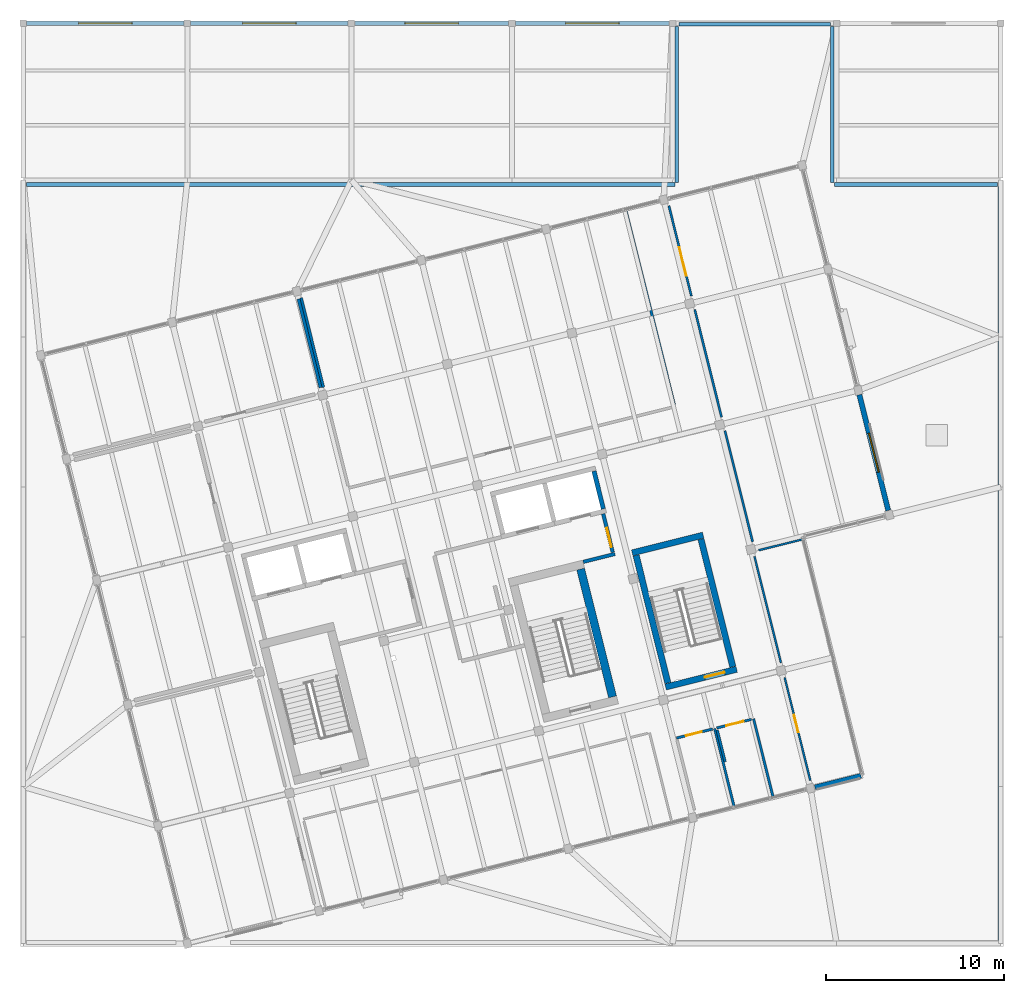
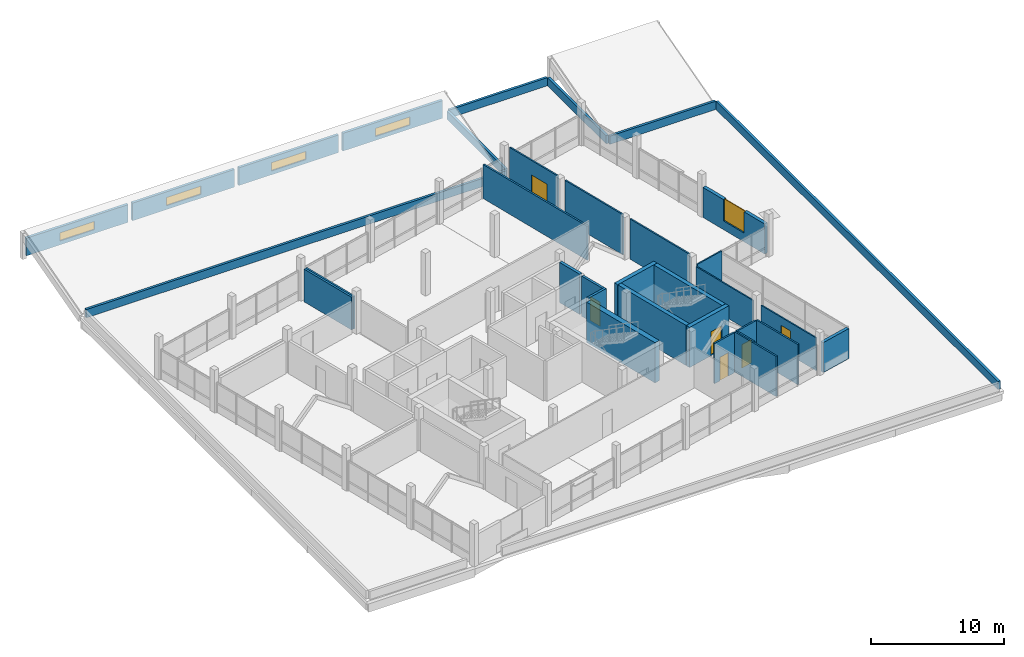
# One storey, part 35 of 37: 34 walls, 6 doors, 5 windows, 11 openings.
"""IFC4 building model written with IfcOpenShell, lengths in metres."""

import ifcopenshell
import ifcopenshell.guid

model = None  # the IFC model being written
_history = None  # IfcOwnerHistory: only IFC2X3 demands one
_inside = {}  # id of a spatial element -> (the spatial element, [elements in it])
_under = {}  # id of a project, library or spatial element -> (it, [spatial elements below it])
_declared = {}  # id of a project -> (the project, [libraries it declares])
_typed = {}  # id of a type object -> (the type object, [elements of that type])
_made_of = {}  # id of a material, layer set ... -> (it, [elements and type objects made of it])


def new_model(schema):
    """Start an empty IFC model of exactly this schema.

    Asked for "IFC4X3", IfcOpenShell would pick the latest addendum, in which some entities
    have other attributes; the version numbers below select the first issue.
    IFC2X3 requires an IfcOwnerHistory on every rooted entity: one is made here for all.
    """
    global model, _history
    if schema == "IFC4X3":
        model = ifcopenshell.file(schema_version=(4, 3, 0, 0))
    else:
        model = ifcopenshell.file(schema=schema)
    _inside.clear()
    _under.clear()
    _declared.clear()
    _typed.clear()
    _made_of.clear()
    _history = None
    if model.schema == "IFC2X3":
        org = make("IfcOrganization", Name="unknown")
        user = make(
            "IfcPersonAndOrganization",
            ThePerson=make("IfcPerson", FamilyName="unknown"),
            TheOrganization=org,
        )
        app = make(
            "IfcApplication",
            ApplicationDeveloper=org,
            Version="unknown",
            ApplicationFullName="unknown",
            ApplicationIdentifier="unknown",
        )
        _history = make(
            "IfcOwnerHistory",
            OwningUser=user,
            OwningApplication=app,
            ChangeAction="ADDED",
            CreationDate=0,
        )
    return model


def make(cls, **values):
    """One entity of the class cls with the attributes given. An attribute that is None is left unset."""
    return model.create_entity(
        cls, **{name: value for name, value in values.items() if value is not None}
    )


def rooted(cls, **values):
    """An entity with a GlobalId (a new one), such as an element, a storey or a relation."""
    return make(cls, GlobalId=ifcopenshell.guid.new(), OwnerHistory=_history, **values)


def si_unit(unit_type, name, prefix=None):
    """IfcSIUnit, for example si_unit("LENGTHUNIT", "METRE", prefix="MILLI")."""
    return make("IfcSIUnit", UnitType=unit_type, Prefix=prefix, Name=name)


def assignment(units):
    """IfcUnitAssignment: the units of a project."""
    return None if units is None else make("IfcUnitAssignment", Units=units)


def point(xyz):
    """IfcCartesianPoint."""
    return None if xyz is None else make("IfcCartesianPoint", Coordinates=xyz)


def direction(xyz):
    """IfcDirection."""
    return None if xyz is None else make("IfcDirection", DirectionRatios=xyz)


def frame(location, z_axis=None, x_axis=None):
    """IfcAxis2Placement3D, a coordinate frame: its origin and axes. An axis left out is left unset."""
    return make(
        "IfcAxis2Placement3D",
        Location=point(location),
        Axis=direction(z_axis),
        RefDirection=direction(x_axis),
    )


def frame_2d(location, x_axis=None):
    """IfcAxis2Placement2D, a coordinate frame in the plane: its origin and x axis."""
    return make(
        "IfcAxis2Placement2D", Location=point(location), RefDirection=direction(x_axis)
    )


def origin():
    """The frame at (0, 0, 0) with its axes left unset."""
    return frame((0.0, 0.0, 0.0))


def place(relative_to, where):
    """IfcLocalPlacement: puts the frame where relative to a parent placement (None: the world)."""
    return make(
        "IfcLocalPlacement", PlacementRelTo=relative_to, RelativePlacement=where
    )


def context(
    kind, dimensions, precision=None, world=None, true_north=None, identifier=None
):
    """IfcGeometricRepresentationContext, for example the 3D "Model" context."""
    return make(
        "IfcGeometricRepresentationContext",
        ContextIdentifier=identifier,
        ContextType=kind,
        CoordinateSpaceDimension=dimensions,
        Precision=precision,
        WorldCoordinateSystem=world,
        TrueNorth=true_north,
    )


def subcontext(parent, identifier, kind, view, scale=None):
    """IfcGeometricRepresentationSubContext, for example "Body" below "Model"."""
    return make(
        "IfcGeometricRepresentationSubContext",
        ContextIdentifier=identifier,
        ContextType=kind,
        ParentContext=parent,
        TargetScale=scale,
        TargetView=view,
    )


def project(units=None, contexts=None):
    """IfcProject with its units and contexts."""
    return rooted(
        "IfcProject",
        Name="project",
        RepresentationContexts=contexts,
        UnitsInContext=assignment(units),
    )


def spatial(cls, under=None, at=None, **own):
    """A site, building, storey or space (cls), placed at a placement, below another one or the project."""
    s = rooted(cls, ObjectPlacement=at, **own)
    if under is not None:
        _under.setdefault(under.id(), (under, []))[1].append(s)
    return s


def profile(cls, at=None, kind="AREA", **sizes):
    """A parametric profile (cls). Its sizes go by their IFC names, for example OverallWidth=200.0."""
    return make(cls, ProfileType=kind, Position=at, **sizes)


def rectangle(**sizes):
    """IfcRectangleProfileDef."""
    return profile("IfcRectangleProfileDef", **sizes)


def extrude(swept, where, along, depth):
    """IfcExtrudedAreaSolid: the profile swept, set in the frame where, extruded along a direction by depth."""
    return make(
        "IfcExtrudedAreaSolid",
        SweptArea=swept,
        Position=where,
        ExtrudedDirection=direction(along),
        Depth=depth,
    )


def shape(context_of_items, identifier, shape_type, items):
    """IfcShapeRepresentation: the items that make up one representation, for example the "Body"."""
    return make(
        "IfcShapeRepresentation",
        ContextOfItems=context_of_items,
        RepresentationIdentifier=identifier,
        RepresentationType=shape_type,
        Items=items,
    )


def material(Name=None, Category=None):
    """IfcMaterial."""
    return make("IfcMaterial", Name=Name, Category=Category)


def layer(
    of_material, thickness, ventilated=None, Name=None, Category=None, Priority=None
):
    """IfcMaterialLayer: one layer of a wall or slab, of a material (None: an air gap)."""
    return make(
        "IfcMaterialLayer",
        Material=of_material,
        LayerThickness=thickness,
        IsVentilated=ventilated,
        Name=Name,
        Category=Category,
        Priority=Priority,
    )


def layer_set(layers, Name=None):
    """IfcMaterialLayerSet."""
    return make("IfcMaterialLayerSet", MaterialLayers=layers, LayerSetName=Name)


def made_of(thing, what):
    """Note that an element or type object is made of a material, layer set ...; save() writes the relation."""
    if what is not None:
        _made_of.setdefault(what.id(), (what, []))[1].append(thing)
    return thing


def type_object(cls, material=None, **own):
    """A type object (cls), such as IfcWallType, which elements share."""
    return made_of(rooted(cls, **own), material)


def element(
    cls,
    number,
    at=None,
    inside=None,
    cuts=None,
    type_object=None,
    material=None,
    context=None,
    identifier="Body",
    shape_type=None,
    held_by="IfcProductDefinitionShape",
    body=None,
    shapes=None,
    **own,
):
    """One element of the class cls, such as IfcWall. Its Tag is "e" and its number.

    at: its placement. inside: the storey or other place that contains it. cuts: it is an
    opening in that element (IfcRelVoidsElement). A single representation is given by context,
    identifier, shape_type and body (its items); several are given by shapes. held_by: the class
    of the entity that holds the representations. save() writes the other relations.
    """
    e = rooted(cls, Tag="e%d" % number, ObjectPlacement=at, **own)
    if body is not None:
        shapes = [shape(context, identifier, shape_type, body)]
    if shapes is not None:
        e.Representation = make(held_by, Representations=shapes)
    if inside is not None:
        _inside.setdefault(inside.id(), (inside, []))[1].append(e)
    if cuts is not None:
        rooted(
            "IfcRelVoidsElement", RelatingBuildingElement=cuts, RelatedOpeningElement=e
        )
    if type_object is not None:
        _typed.setdefault(type_object.id(), (type_object, []))[1].append(e)
    return made_of(e, material)


def fill(opening, filler):
    """IfcRelFillsElement: the door or window that sits in an opening."""
    return rooted(
        "IfcRelFillsElement",
        RelatingOpeningElement=opening,
        RelatedBuildingElement=filler,
    )


def aggregate(whole, parts):
    """IfcRelAggregates: a whole, such as a stair, and the parts it consists of."""
    return rooted("IfcRelAggregates", RelatingObject=whole, RelatedObjects=parts)


def save(model, path):
    """Write the relations noted so far, then the file.

    IfcRelAggregates (storeys below a building ...), IfcRelContainedInSpatialStructure (elements
    in a storey), IfcRelDefinesByType, IfcRelAssociatesMaterial and IfcRelDeclares: one each for
    every whole, place, type object, material and project.
    """
    for whole, parts in _under.values():
        aggregate(whole, parts)
    for where, things in _inside.values():
        rooted(
            "IfcRelContainedInSpatialStructure",
            RelatedElements=things,
            RelatingStructure=where,
        )
    for kind, things in _typed.values():
        rooted("IfcRelDefinesByType", RelatedObjects=things, RelatingType=kind)
    for what, things in _made_of.values():
        rooted("IfcRelAssociatesMaterial", RelatedObjects=things, RelatingMaterial=what)
    for by, libraries in _declared.values():
        rooted("IfcRelDeclares", RelatingContext=by, RelatedDefinitions=libraries)
    model.write(path)


model = new_model("IFC4")

# Units and contexts
model_context = context("Model", 3, precision=1e-05, world=origin(), true_north=direction((0.0, 1.0)))
body_context = subcontext(model_context, "Body", "Model", "MODEL_VIEW")
ifc_project = project(units=[si_unit("LENGTHUNIT", "METRE"), si_unit("AREAUNIT", "SQUARE_METRE"), si_unit("VOLUMEUNIT", "CUBIC_METRE"), si_unit("PLANEANGLEUNIT", "RADIAN"), si_unit("MASSUNIT", "GRAM", prefix="KILO")], contexts=[model_context])

# Site, building, storey
site_placement = place(None, origin())
site = spatial("IfcSite", under=ifc_project, at=site_placement, CompositionType="ELEMENT")
building_placement = place(site_placement, origin())
building = spatial("IfcBuilding", under=site, at=building_placement, Name="Meriwether Solvik Hall", CompositionType="ELEMENT")
storey_placement = place(building_placement, frame((0.0, 0.0, 26.10009765625)))
storey = spatial("IfcBuildingStorey", under=building, at=storey_placement, Name="L06", CompositionType="ELEMENT", Elevation=26.10009765625)

# Wall
ifc_material_1 = material(Name="Charred Western Red Cedar Timber and Mineral Wool", Category="wood")
ifc_layer_1 = layer(ifc_material_1, 0.27001953125)
ifc_layer_set_1 = layer_set([ifc_layer_1], Name="Charred Western Red Cedar Timber and Mineral Wool")
wall_type_1 = type_object("IfcWallType", Name="WALL-EXT-270", PredefinedType="SOLIDWALL", material=ifc_layer_set_1)
wall_1_placement = place(storey_placement, frame((106.364013671875, 50.615478515625, 0.0), z_axis=(0.0, 0.0, 1.0), x_axis=(-0.970304218988, -0.241887830646, 0.0)))
element("IfcWall", 1, at=wall_1_placement, inside=storey, type_object=wall_type_1, Name="L06 Timber Rainscreen Wall 1.5", PredefinedType="SOLIDWALL", context=body_context, shape_type="SweptSolid", body=[
    extrude(rectangle(XDim=2.66064453125, YDim=0.27001953125, at=frame_2d((1.330322265625, 0.0))), origin(), (0.0, 0.0, 1.0), 2.75),
])

# Wall, opening, window
ifc_material_2 = material(Name="Cross-Laminated Timber and Mineral-Wool Insulation", Category="wood")
ifc_layer_2 = layer(ifc_material_2, 0.2900390625)
ifc_layer_set_2 = layer_set([ifc_layer_2], Name="Cross-Laminated Timber and Mineral-Wool Insulation")
wall_type_2 = type_object("IfcWallType", Name="WALL-EXT-290", PredefinedType="SOLIDWALL", material=ifc_layer_set_2)
wall_2_placement = place(storey_placement, frame((106.275390625, 71.968994140625, 0.0), z_axis=(0.0, 0.0, 1.0), x_axis=(0.24190791202, -0.970299212667, 0.0)))
wall_2 = element("IfcWall", 2, at=wall_2_placement, inside=storey, type_object=wall_type_2, Name="L06 Timber Rainscreen Wall 4.0", PredefinedType="SOLIDWALL", context=body_context, shape_type="SweptSolid", body=[
    extrude(rectangle(XDim=6.68115234375, YDim=0.2900390625, at=frame_2d((3.340576171875, 0.0))), origin(), (0.0, 0.0, 1.0), 2.75),
])
opening_1_placement = place(wall_2_placement, frame((2.215576171875, 0.0, 0.800048828125)))
opening_1 = element("IfcOpeningElement", 3, at=opening_1_placement, cuts=wall_2, Name="Opening WN-150", PredefinedType="OPENING", context=body_context, shape_type="SweptSolid", body=[
    extrude(rectangle(XDim=2.25, YDim=1.949951171875, at=frame_2d((1.125, 0.97509765625))), frame((0.0, 0.156982421875, 0.0), z_axis=(0.0, -1.0, 0.0), x_axis=(1.0, 0.0, 0.0)), (0.0, 0.0, 1.0), 0.31396484375),
])
ifc_material_3 = material(Name="Thermally Broken Anodised Aluminium and Triple Low-E Glass", Category="aluminium")
window_type_1 = type_object("IfcWindowType", Name="WIN-TW-SHARD-225X195", PartitioningType="SINGLE_PANEL", PredefinedType="WINDOW", material=ifc_material_3)
window_1_placement = place(opening_1_placement, origin())
window_1 = element("IfcWindow", 4, at=window_1_placement, inside=storey, type_object=window_type_1, Name="L06 Punched Window 4.0", OverallHeight=1.949951171875, OverallWidth=2.25, PartitioningType="SINGLE_PANEL", PredefinedType="WINDOW", context=body_context, shape_type="SweptSolid", body=[
    extrude(rectangle(XDim=2.25, YDim=1.949951171875, at=frame_2d((1.125, 0.97509765625))), frame((0.0, 0.030029296875, 0.0), z_axis=(0.0, -1.0, 0.0), x_axis=(1.0, 0.0, 0.0)), (0.0, 0.0, 1.0), 0.06005859375),
])
fill(opening_1, window_1)

# Wall
ifc_material_4 = material(Name="Fire-Rated Type X Gypsum Board", Category="gypsum")
ifc_layer_3 = layer(ifc_material_4, 0.199951171875)
ifc_layer_set_3 = layer_set([ifc_layer_3], Name="Fire-Rated Type X Gypsum Board")
wall_type_3 = type_object("IfcWallType", Name="WALL-FIRE-200", PredefinedType="STANDARD", material=ifc_layer_set_3)
wall_3_placement = place(storey_placement, frame((90.791015625, 62.604248046875, 0.0), z_axis=(0.0, 0.0, 1.0), x_axis=(0.970306180373, 0.241879962645, 0.0)))
element("IfcWall", 5, at=wall_3_placement, inside=storey, type_object=wall_type_3, Name="L06 Interior Partition lb2_s", PredefinedType="STANDARD", context=body_context, shape_type="SweptSolid", body=[
    extrude(rectangle(XDim=1.840087890625, YDim=0.199951171875, at=frame_2d((0.919921875, 0.0))), origin(), (0.0, 0.0, 1.0), 3.679931640625),
])

# Wall, opening, door
wall_4_placement = place(storey_placement, frame((91.913330078125, 65.295654296875, 0.0), z_axis=(0.0, 0.0, 1.0), x_axis=(0.241836892041, -0.970316916089, 0.0)))
wall_4 = element("IfcWall", 6, at=wall_4_placement, inside=storey, type_object=wall_type_3, Name="L06 Interior Partition lb2_e", PredefinedType="STANDARD", context=body_context, shape_type="SweptSolid", body=[
    extrude(rectangle(XDim=2.219970703125, YDim=0.199951171875, at=frame_2d((1.10986328125, 0.0))), origin(), (0.0, 0.0, 1.0), 3.679931640625),
])
opening_2_placement = place(wall_4_placement, frame((0.820068359375, 0.0, 0.0)))
opening_2 = element("IfcOpeningElement", 7, at=opening_2_placement, cuts=wall_4, Name="Opening D-168", PredefinedType="OPENING", context=body_context, shape_type="SweptSolid", body=[
    extrude(rectangle(XDim=1.10009765625, YDim=2.199951171875, at=frame_2d((0.550048828125, 1.10009765625))), frame((0.0, 0.11181640625, 0.0), z_axis=(0.0, -1.0, 0.0), x_axis=(1.0, 0.0, 0.0)), (0.0, 0.0, 1.0), 0.223876953125),
])
ifc_material_5 = material(Name="Steel A36 Galvanised", Category="steel")
door_type_1 = type_object("IfcDoorType", Name="DR-FD60-1100L", OperationType="SINGLE_SWING_LEFT", PredefinedType="DOOR", material=ifc_material_5)
door_1_placement = place(opening_2_placement, origin())
door_1 = element("IfcDoor", 8, at=door_1_placement, inside=storey, type_object=door_type_1, Name="East FSAE Lift Lobby Door (L06)", OperationType="SINGLE_SWING_LEFT", OverallHeight=2.199951171875, OverallWidth=1.10009765625, PredefinedType="DOOR", context=body_context, shape_type="SweptSolid", body=[
    extrude(rectangle(XDim=1.10009765625, YDim=2.199951171875, at=frame_2d((0.550048828125, 1.10009765625))), frame((0.0, 0.02490234375, 0.0), z_axis=(0.0, -1.0, 0.0), x_axis=(1.0, 0.0, 0.0)), (0.0, 0.0, 1.0), 0.050048828125),
])
fill(opening_2, door_1)

# Walls
wall_5_placement = place(storey_placement, frame((76.08056640625, 72.3740234375, 0.0), z_axis=(0.0, 0.0, 1.0), x_axis=(-0.241941301347, 0.970290887674, 0.0)))
element("IfcWall", 9, at=wall_5_placement, inside=storey, type_object=wall_type_3, Name="L06 Interior Partition lab_nw_e", PredefinedType="STANDARD", context=body_context, shape_type="SweptSolid", body=[
    extrude(rectangle(XDim=5.123046875, YDim=0.199951171875, at=frame_2d((2.5615234375, 0.0))), origin(), (0.0, 0.0, 1.0), 2.994873046875),
])
ifc_material_6 = material(Name="Tempered Laminated Glass in Anodised Aluminium Frame", Category="aluminium")
ifc_layer_4 = layer(ifc_material_6, 0.112060546875)
ifc_layer_set_4 = layer_set([ifc_layer_4], Name="Tempered Laminated Glass in Anodised Aluminium Frame")
wall_type_4 = type_object("IfcWallType", Name="WALL-GLZ-112", PredefinedType="PARTITIONING", material=ifc_layer_set_4)
wall_6_placement = place(storey_placement, frame((103.0810546875, 63.864990234375, 0.0), z_axis=(0.0, 0.0, 1.0), x_axis=(-0.97028432699, -0.24196761105, 0.0)))
element("IfcWall", 10, at=wall_6_placement, inside=storey, type_object=wall_type_4, Name="L06 Interior Partition shard_se_n", PredefinedType="PARTITIONING", context=body_context, shape_type="SweptSolid", body=[
    extrude(rectangle(XDim=2.528564453125, YDim=0.112060546875, at=frame_2d((1.26416015625, 0.0))), origin(), (0.0, 0.0, 1.0), 2.919921875),
])
wall_7_placement = place(storey_placement, frame((100.392333984375, 62.90966796875, 0.0), z_axis=(0.0, 0.0, 1.0), x_axis=(0.241928011715, -0.970294201337, 0.0)))
element("IfcWall", 11, at=wall_7_placement, inside=storey, type_object=wall_type_4, Name="L06 Interior Partition shard_se_w", PredefinedType="PARTITIONING", context=body_context, shape_type="SweptSolid", body=[
    extrude(rectangle(XDim=6.145751953125, YDim=0.112060546875, at=frame_2d((3.07275390625, 0.0))), origin(), (0.0, 0.0, 1.0), 2.994873046875),
])

# Wall, opening, door
wall_8_placement = place(storey_placement, frame((102.085693359375, 56.11767578125, 0.0), z_axis=(0.0, 0.0, 1.0), x_axis=(0.241936558531, -0.970292070279, 0.0)))
wall_8 = element("IfcWall", 12, at=wall_8_placement, inside=storey, type_object=wall_type_4, Name="L06 Interior Partition shard_se_w_s2", PredefinedType="PARTITIONING", context=body_context, shape_type="SweptSolid", body=[
    extrude(rectangle(XDim=5.945556640625, YDim=0.112060546875, at=frame_2d((2.97265625, 0.0))), origin(), (0.0, 0.0, 1.0), 2.994873046875),
])
opening_3_placement = place(wall_8_placement, frame((2.162109375, 0.0, 0.0)))
opening_3 = element("IfcOpeningElement", 13, at=opening_3_placement, cuts=wall_8, Name="Opening D-103", PredefinedType="OPENING", context=body_context, shape_type="SweptSolid", body=[
    extrude(rectangle(XDim=1.0, YDim=2.25, at=frame_2d((0.5, 1.125))), frame((0.0, 0.06787109375, 0.0), z_axis=(0.0, -1.0, 0.0), x_axis=(1.0, 0.0, 0.0)), (0.0, 0.0, 1.0), 0.135986328125),
])
ifc_material_7 = material(Name="Laminated Vision Glass and Solid White Oak Timber", Category="wood")
door_type_2 = type_object("IfcDoorType", Name="DR-OFF-1000R", OperationType="SINGLE_SWING_RIGHT", PredefinedType="DOOR", material=ifc_material_7)
door_2_placement = place(opening_3_placement, origin())
door_2 = element("IfcDoor", 14, at=door_2_placement, inside=storey, type_object=door_type_2, Name="L06 Cantilever Shard Reading Lounge Door", OperationType="SINGLE_SWING_RIGHT", OverallHeight=2.25, OverallWidth=1.0, PredefinedType="DOOR", context=body_context, shape_type="SweptSolid", body=[
    extrude(rectangle(XDim=1.0, YDim=2.25, at=frame_2d((0.5, 1.125))), frame((0.0, 0.02490234375, 0.0), z_axis=(0.0, -1.0, 0.0), x_axis=(1.0, 0.0, 0.0)), (0.0, 0.0, 1.0), 0.050048828125),
])
fill(opening_3, door_2)

# Wall
ifc_material_8 = material(Name="Concrete C40/50", Category="concrete")
ifc_layer_5 = layer(ifc_material_8, 0.25)
ifc_layer_set_5 = layer_set([ifc_layer_5], Name="Concrete C40/50")
wall_type_5 = type_object("IfcWallType", Name="WALL-HOIST-250", PredefinedType="SHEAR", material=ifc_layer_set_5)
wall_9_placement = place(storey_placement, frame((91.920654296875, 65.575927734375, 0.0), z_axis=(0.0, 0.0, 1.0), x_axis=(-0.241903146974, 0.970300400641, 0.0)))
element("IfcWall", 15, at=wall_9_placement, inside=storey, type_object=wall_type_5, Name="Hoistway BANK2 East Wall (L06)", PredefinedType="SHEAR", context=body_context, shape_type="SweptSolid", body=[
    extrude(rectangle(XDim=2.179931640625, YDim=0.25, at=frame_2d((1.08984375, 0.0))), origin(), (0.0, 0.0, 1.0), 3.679931640625),
])

# Wall, opening, window
ifc_material_9 = material(Name="Cross-Laminated Timber and Polyisocyanurate Insulation", Category="wood")
ifc_layer_6 = layer(ifc_material_9, 0.22998046875)
ifc_layer_set_6 = layer_set([ifc_layer_6], Name="Cross-Laminated Timber and Polyisocyanurate Insulation")
wall_type_6 = type_object("IfcWallType", Name="WALL-MON-230", PredefinedType="SOLIDWALL", material=ifc_layer_set_6)
wall_10_placement = place(storey_placement, frame((68.409912109375, 92.800048828125, 0.1748046875), z_axis=(0.0, 0.0, 1.0), x_axis=(-1.0, 0.0, 0.0)))
wall_10 = element("IfcWall", 16, at=wall_10_placement, inside=storey, type_object=wall_type_6, Name="Sawtooth Monitor Clerestory Wall w4b_north_w_b1", PredefinedType="SOLIDWALL", context=body_context, shape_type="SweptSolid", body=[
    extrude(rectangle(XDim=8.81982421875, YDim=0.22998046875, at=frame_2d((4.409912109375, 0.0))), origin(), (0.0, 0.0, 1.0), 1.6162109375),
])
opening_4_placement = place(wall_10_placement, frame((2.909912109375, 0.0, 0.35009765625)))
opening_4 = element("IfcOpeningElement", 17, at=opening_4_placement, cuts=wall_10, Name="Opening SK-164", PredefinedType="OPENING", context=body_context, shape_type="SweptSolid", body=[
    extrude(rectangle(XDim=3.0, YDim=0.75, at=frame_2d((1.5, 0.375))), frame((0.0, 0.126953125, 0.0), z_axis=(0.0, -1.0, 0.0), x_axis=(1.0, 0.0, 0.0)), (0.0, 0.0, 1.0), 0.25390625),
])
ifc_material_10 = material(Name="Thermally Broken Anodised Aluminium and Triple Low-E Glass", Category="aluminium")
window_type_2 = type_object("IfcWindowType", Name="SKY-MON-300X075", PartitioningType="SINGLE_PANEL", PredefinedType="SKYLIGHT", material=ifc_material_10)
window_2_placement = place(opening_4_placement, origin())
window_2 = element("IfcWindow", 18, at=window_2_placement, inside=storey, type_object=window_type_2, Name="Sawtooth Northlight Skylight w4b_north_w_b1-1", OverallHeight=0.75, OverallWidth=3.0, PartitioningType="SINGLE_PANEL", PredefinedType="SKYLIGHT", context=body_context, shape_type="SweptSolid", body=[
    extrude(rectangle(XDim=3.0, YDim=0.75, at=frame_2d((1.5, 0.375))), frame((0.0, 0.030029296875, 0.0), z_axis=(0.0, -1.0, 0.0), x_axis=(1.0, 0.0, 0.0)), (0.0, 0.0, 1.0), 0.06005859375),
])
fill(opening_4, window_2)

wall_11_placement = place(storey_placement, frame((77.610107421875, 92.800048828125, 0.1748046875), z_axis=(0.0, 0.0, 1.0), x_axis=(-1.0, 0.0, 0.0)))
wall_11 = element("IfcWall", 19, at=wall_11_placement, inside=storey, type_object=wall_type_6, Name="Sawtooth Monitor Clerestory Wall w4b_north_w_b2", PredefinedType="SOLIDWALL", context=body_context, shape_type="SweptSolid", body=[
    extrude(rectangle(XDim=8.820068359375, YDim=0.22998046875, at=frame_2d((4.41015625, 0.0))), origin(), (0.0, 0.0, 1.0), 1.6162109375),
])
opening_5_placement = place(wall_11_placement, frame((2.909912109375, 0.0, 0.35009765625)))
opening_5 = element("IfcOpeningElement", 20, at=opening_5_placement, cuts=wall_11, Name="Opening SK-164", PredefinedType="OPENING", context=body_context, shape_type="SweptSolid", body=[
    extrude(rectangle(XDim=3.0, YDim=0.75, at=frame_2d((1.5, 0.375))), frame((0.0, 0.126953125, 0.0), z_axis=(0.0, -1.0, 0.0), x_axis=(1.0, 0.0, 0.0)), (0.0, 0.0, 1.0), 0.25390625),
])
window_3_placement = place(opening_5_placement, origin())
window_3 = element("IfcWindow", 21, at=window_3_placement, inside=storey, type_object=window_type_2, Name="Sawtooth Northlight Skylight w4b_north_w_b2-1", OverallHeight=0.75, OverallWidth=3.0, PartitioningType="SINGLE_PANEL", PredefinedType="SKYLIGHT", context=body_context, shape_type="SweptSolid", body=[
    extrude(rectangle(XDim=3.0, YDim=0.75, at=frame_2d((1.5, 0.375))), frame((0.0, 0.030029296875, 0.0), z_axis=(0.0, -1.0, 0.0), x_axis=(1.0, 0.0, 0.0)), (0.0, 0.0, 1.0), 0.06005859375),
])
fill(opening_5, window_3)

wall_12_placement = place(storey_placement, frame((86.610107421875, 92.800048828125, 0.1748046875), z_axis=(0.0, 0.0, 1.0), x_axis=(-1.0, 0.0, 0.0)))
wall_12 = element("IfcWall", 22, at=wall_12_placement, inside=storey, type_object=wall_type_6, Name="Sawtooth Monitor Clerestory Wall w4b_north_w_b3", PredefinedType="SOLIDWALL", context=body_context, shape_type="SweptSolid", body=[
    extrude(rectangle(XDim=8.6201171875, YDim=0.22998046875, at=frame_2d((4.31005859375, 0.0))), origin(), (0.0, 0.0, 1.0), 1.6162109375),
])
opening_6_placement = place(wall_12_placement, frame((2.81005859375, 0.0, 0.35009765625)))
opening_6 = element("IfcOpeningElement", 23, at=opening_6_placement, cuts=wall_12, Name="Opening SK-164", PredefinedType="OPENING", context=body_context, shape_type="SweptSolid", body=[
    extrude(rectangle(XDim=3.0, YDim=0.75, at=frame_2d((1.5, 0.375))), frame((0.0, 0.126953125, 0.0), z_axis=(0.0, -1.0, 0.0), x_axis=(1.0, 0.0, 0.0)), (0.0, 0.0, 1.0), 0.25390625),
])
window_4_placement = place(opening_6_placement, origin())
window_4 = element("IfcWindow", 24, at=window_4_placement, inside=storey, type_object=window_type_2, Name="Sawtooth Northlight Skylight w4b_north_w_b3-1", OverallHeight=0.75, OverallWidth=3.0, PartitioningType="SINGLE_PANEL", PredefinedType="SKYLIGHT", context=body_context, shape_type="SweptSolid", body=[
    extrude(rectangle(XDim=3.0, YDim=0.75, at=frame_2d((1.5, 0.375))), frame((0.0, 0.030029296875, 0.0), z_axis=(0.0, -1.0, 0.0), x_axis=(1.0, 0.0, 0.0)), (0.0, 0.0, 1.0), 0.06005859375),
])
fill(opening_6, window_4)

wall_13_placement = place(storey_placement, frame((95.610107421875, 92.800048828125, 0.1748046875), z_axis=(0.0, 0.0, 1.0), x_axis=(-1.0, 0.0, 0.0)))
wall_13 = element("IfcWall", 25, at=wall_13_placement, inside=storey, type_object=wall_type_6, Name="Sawtooth Monitor Clerestory Wall w4b_north_w_b4", PredefinedType="SOLIDWALL", context=body_context, shape_type="SweptSolid", body=[
    extrude(rectangle(XDim=8.6201171875, YDim=0.22998046875, at=frame_2d((4.31005859375, 0.0))), origin(), (0.0, 0.0, 1.0), 1.6162109375),
])
opening_7_placement = place(wall_13_placement, frame((2.81005859375, 0.0, 0.35009765625)))
opening_7 = element("IfcOpeningElement", 26, at=opening_7_placement, cuts=wall_13, Name="Opening SK-164", PredefinedType="OPENING", context=body_context, shape_type="SweptSolid", body=[
    extrude(rectangle(XDim=3.0, YDim=0.75, at=frame_2d((1.5, 0.375))), frame((0.0, 0.126953125, 0.0), z_axis=(0.0, -1.0, 0.0), x_axis=(1.0, 0.0, 0.0)), (0.0, 0.0, 1.0), 0.25390625),
])
window_5_placement = place(opening_7_placement, origin())
window_5 = element("IfcWindow", 27, at=window_5_placement, inside=storey, type_object=window_type_2, Name="Sawtooth Northlight Skylight w4b_north_w_b4-1", OverallHeight=0.75, OverallWidth=3.0, PartitioningType="SINGLE_PANEL", PredefinedType="SKYLIGHT", context=body_context, shape_type="SweptSolid", body=[
    extrude(rectangle(XDim=3.0, YDim=0.75, at=frame_2d((1.5, 0.375))), frame((0.0, 0.030029296875, 0.0), z_axis=(0.0, -1.0, 0.0), x_axis=(1.0, 0.0, 0.0)), (0.0, 0.0, 1.0), 0.06005859375),
])
fill(opening_7, window_5)

# Walls
ifc_material_11 = material(Name="Reinforced Concrete C35/45", Category="concrete")
ifc_layer_7 = layer(ifc_material_11, 0.2099609375)
ifc_layer_set_7 = layer_set([ifc_layer_7], Name="Reinforced Concrete C35/45")
wall_type_7 = type_object("IfcWallType", Name="WALL-PAR-210", PredefinedType="PARAPET", material=ifc_layer_set_7)
wall_14_placement = place(storey_placement, frame((59.570068359375, 83.760009765625, 0.0), z_axis=(0.0, 0.0, 1.0), x_axis=(1.0, 0.0, 0.0)))
element("IfcWall", 28, at=wall_14_placement, inside=storey, type_object=wall_type_7, Name="Shoulder Collar Roof Parapet 3", PredefinedType="PARAPET", context=body_context, shape_type="SweptSolid", body=[
    extrude(rectangle(XDim=36.35986328125, YDim=0.2099609375, at=frame_2d((18.179931640625, 0.0))), origin(), (0.0, 0.0, 1.0), 0.75),
])
wall_15_placement = place(storey_placement, frame((96.0400390625, 83.8701171875, 0.0), z_axis=(0.0, 0.0, 1.0), x_axis=(0.0, 1.0, 0.0)))
element("IfcWall", 29, at=wall_15_placement, inside=storey, type_object=wall_type_7, Name="Shoulder Collar Roof Parapet 4", PredefinedType="PARAPET", context=body_context, shape_type="SweptSolid", body=[
    extrude(rectangle(XDim=8.759765625, YDim=0.2099609375, at=frame_2d((4.3798828125, 0.0))), origin(), (0.0, 0.0, 1.0), 0.75),
])
wall_16_placement = place(storey_placement, frame((96.14990234375, 92.739990234375, 0.0), z_axis=(0.0, 0.0, 1.0), x_axis=(1.0, 0.0, 0.0)))
element("IfcWall", 30, at=wall_16_placement, inside=storey, type_object=wall_type_7, Name="Shoulder Collar Roof Parapet 5", PredefinedType="PARAPET", context=body_context, shape_type="SweptSolid", body=[
    extrude(rectangle(XDim=8.5, YDim=0.2099609375, at=frame_2d((4.25, 0.0))), origin(), (0.0, 0.0, 1.0), 0.75),
])
wall_17_placement = place(storey_placement, frame((104.760009765625, 92.6298828125, 0.0), z_axis=(0.0, 0.0, 1.0), x_axis=(0.0, -1.0, 0.0)))
element("IfcWall", 31, at=wall_17_placement, inside=storey, type_object=wall_type_7, Name="Shoulder Collar Roof Parapet 6", PredefinedType="PARAPET", context=body_context, shape_type="SweptSolid", body=[
    extrude(rectangle(XDim=8.759765625, YDim=0.2099609375, at=frame_2d((4.3798828125, 0.0))), origin(), (0.0, 0.0, 1.0), 0.75),
])
wall_18_placement = place(storey_placement, frame((104.8701171875, 83.760009765625, 0.0), z_axis=(0.0, 0.0, 1.0), x_axis=(1.0, 0.0, 0.0)))
element("IfcWall", 32, at=wall_18_placement, inside=storey, type_object=wall_type_7, Name="Shoulder Collar Roof Parapet 7", PredefinedType="PARAPET", context=body_context, shape_type="SweptSolid", body=[
    extrude(rectangle(XDim=9.159912109375, YDim=0.2099609375, at=frame_2d((4.580078125, 0.0))), origin(), (0.0, 0.0, 1.0), 0.75),
])
wall_19_placement = place(storey_placement, frame((114.139892578125, 83.64990234375, 0.0), z_axis=(0.0, 0.0, 1.0), x_axis=(0.0, -1.0, 0.0)))
element("IfcWall", 33, at=wall_19_placement, inside=storey, type_object=wall_type_7, Name="Shoulder Collar Roof Parapet 8", PredefinedType="PARAPET", context=body_context, shape_type="SweptSolid", body=[
    extrude(rectangle(XDim=42.27978515625, YDim=0.2099609375, at=frame_2d((21.139892578125, 0.0))), origin(), (0.0, 0.0, 1.0), 0.75),
])

# Wall, opening, door
ifc_material_12 = material(Name="Gypsum Board Partition", Category="gypsum")
ifc_layer_8 = layer(ifc_material_12, 0.125)
ifc_layer_set_8 = layer_set([ifc_layer_8], Name="Gypsum Board Partition")
wall_type_8 = type_object("IfcWallType", Name="WALL-PART-125", PredefinedType="PARTITIONING", material=ifc_layer_set_8)
wall_20_placement = place(storey_placement, frame((95.59375, 82.5693359375, 0.0), z_axis=(0.0, 0.0, 1.0), x_axis=(0.241919249358, -0.970296386054, 0.0)))
wall_20 = element("IfcWall", 34, at=wall_20_placement, inside=storey, type_object=wall_type_8, Name="L06 Interior Partition off_e_w", PredefinedType="PARTITIONING", context=body_context, shape_type="SweptSolid", body=[
    extrude(rectangle(XDim=5.219482421875, YDim=0.125, at=frame_2d((2.60986328125, 0.0))), origin(), (0.0, 0.0, 1.0), 3.679931640625),
])
opening_8_placement = place(wall_20_placement, frame((2.402587890625, 0.0, 0.0)))
opening_8 = element("IfcOpeningElement", 35, at=opening_8_placement, cuts=wall_20, Name="Opening D-137", PredefinedType="OPENING", context=body_context, shape_type="SweptSolid", body=[
    extrude(rectangle(XDim=1.64990234375, YDim=2.35009765625, at=frame_2d((0.824951171875, 1.175048828125))), frame((0.0, 0.074462890625, 0.0), z_axis=(0.0, -1.0, 0.0), x_axis=(1.0, 0.0, 0.0)), (0.0, 0.0, 1.0), 0.14892578125),
])
ifc_material_13 = material(Name="Laminated Vision Glass and Solid White Oak Timber", Category="wood")
door_type_3 = type_object("IfcDoorType", Name="DR-INT-1650", OperationType="DOUBLE_DOOR_SINGLE_SWING", PredefinedType="DOOR", material=ifc_material_13)
door_3_placement = place(opening_8_placement, origin())
door_3 = element("IfcDoor", 36, at=door_3_placement, inside=storey, type_object=door_type_3, Name="L06 Civic Policy Research Workplace Door", OperationType="DOUBLE_DOOR_SINGLE_SWING", OverallHeight=2.35009765625, OverallWidth=1.64990234375, PredefinedType="DOOR", context=body_context, shape_type="SweptSolid", body=[
    extrude(rectangle(XDim=1.64990234375, YDim=2.35009765625, at=frame_2d((0.824951171875, 1.175048828125))), frame((0.0, 0.02490234375, 0.0), z_axis=(0.0, -1.0, 0.0), x_axis=(1.0, 0.0, 0.0)), (0.0, 0.0, 1.0), 0.050048828125),
])
fill(opening_8, door_3)

# Walls
wall_21_placement = place(storey_placement, frame((97.045166015625, 76.74755859375, 0.0), z_axis=(0.0, 0.0, 1.0), x_axis=(0.241925976618, -0.970294708755, 0.0)))
element("IfcWall", 37, at=wall_21_placement, inside=storey, type_object=wall_type_8, Name="L06 Interior Partition off_e_w_s2", PredefinedType="PARTITIONING", context=body_context, shape_type="SweptSolid", body=[
    extrude(rectangle(XDim=6.219482421875, YDim=0.125, at=frame_2d((3.10986328125, 0.0))), origin(), (0.0, 0.0, 1.0), 3.679931640625),
])
wall_22_placement = place(storey_placement, frame((98.73876953125, 69.95556640625, 0.0), z_axis=(0.0, 0.0, 1.0), x_axis=(0.241909197062, -0.970298892289, 0.0)))
element("IfcWall", 38, at=wall_22_placement, inside=storey, type_object=wall_type_8, Name="L06 Interior Partition off_e_w_s3", PredefinedType="PARTITIONING", context=body_context, shape_type="SweptSolid", body=[
    extrude(rectangle(XDim=6.419677734375, YDim=0.125, at=frame_2d((3.2099609375, 0.0))), origin(), (0.0, 0.0, 1.0), 3.679931640625),
])
ifc_material_14 = material(Name="Gypsum Board Partition", Category="gypsum")
ifc_layer_9 = layer(ifc_material_14, 0.14990234375)
ifc_layer_set_9 = layer_set([ifc_layer_9], Name="Gypsum Board Partition")
wall_type_9 = type_object("IfcWallType", Name="WALL-PART-150", PredefinedType="PARTITIONING", material=ifc_layer_set_9)
wall_23_placement = place(storey_placement, frame((95.8994140625, 71.422119140625, 0.0), z_axis=(0.0, 0.0, 1.0), x_axis=(-0.241921192876, 0.970295901485, 0.0)))
element("IfcWall", 39, at=wall_23_placement, inside=storey, type_object=wall_type_9, Name="L06 Interior Partition sem_nc_e", PredefinedType="PARTITIONING", context=body_context, shape_type="SweptSolid", body=[
    extrude(rectangle(XDim=11.219970703125, YDim=0.14990234375, at=frame_2d((5.60986328125, 0.0))), origin(), (0.0, 0.0, 1.0), 3.10986328125),
])
wall_24_placement = place(storey_placement, frame((74.980712890625, 77.405517578125, 0.0), z_axis=(0.0, 0.0, 1.0), x_axis=(0.241925047615, -0.970294940385, 0.0)))
element("IfcWall", 40, at=wall_24_placement, inside=storey, type_object=wall_type_9, Name="L06 Interior Partition sem_nc_w", PredefinedType="PARTITIONING", context=body_context, shape_type="SweptSolid", body=[
    extrude(rectangle(XDim=5.175048828125, YDim=0.14990234375, at=frame_2d((2.58740234375, 0.0))), origin(), (0.0, 0.0, 1.0), 2.994873046875),
])

# Wall, opening, door
ifc_material_15 = material(Name="Concrete C40/50", Category="concrete")
ifc_layer_10 = layer(ifc_material_15, 0.35009765625)
ifc_layer_set_10 = layer_set([ifc_layer_10], Name="Concrete C40/50")
wall_type_10 = type_object("IfcWallType", Name="WALL-RC-350", PredefinedType="SHEAR", material=ifc_layer_set_10)
wall_25_placement = place(storey_placement, frame((95.415283203125, 55.589599609375, 0.0), z_axis=(0.0, 0.0, 1.0), x_axis=(0.970292928015, 0.241933118535, 0.0)))
wall_25 = element("IfcWall", 41, at=wall_25_placement, inside=storey, type_object=wall_type_10, Name="CORE-3 Shear Wall S (L06)", PredefinedType="SHEAR", context=body_context, shape_type="SweptSolid", body=[
    extrude(rectangle(XDim=4.10009765625, YDim=0.35009765625, at=frame_2d((2.050048828125, 0.0))), origin(), (0.0, 0.0, 1.0), 3.679931640625),
])
opening_9_placement = place(wall_25_placement, frame((2.25, 0.0, 0.0)))
opening_9 = element("IfcOpeningElement", 42, at=opening_9_placement, cuts=wall_25, Name="Opening D-148", PredefinedType="OPENING", context=body_context, shape_type="SweptSolid", body=[
    extrude(rectangle(XDim=1.14990234375, YDim=2.199951171875, at=frame_2d((0.574951171875, 1.10009765625))), frame((0.0, 0.18701171875, 0.0), z_axis=(0.0, -1.0, 0.0), x_axis=(1.0, 0.0, 0.0)), (0.0, 0.0, 1.0), 0.3740234375),
])
ifc_material_16 = material(Name="Steel A36 Galvanised", Category="steel")
door_type_4 = type_object("IfcDoorType", Name="DR-FD90-1150R", OperationType="SINGLE_SWING_RIGHT", PredefinedType="DOOR", material=ifc_material_16)
door_4_placement = place(opening_9_placement, origin())
door_4 = element("IfcDoor", 43, at=door_4_placement, inside=storey, type_object=door_type_4, Name="Stair ST-03 Smokeproof Exit Door (L06)", OperationType="SINGLE_SWING_RIGHT", OverallHeight=2.199951171875, OverallWidth=1.14990234375, PredefinedType="DOOR", context=body_context, shape_type="SweptSolid", body=[
    extrude(rectangle(XDim=1.14990234375, YDim=2.199951171875, at=frame_2d((0.574951171875, 1.10009765625))), frame((0.0, 0.02490234375, 0.0), z_axis=(0.0, -1.0, 0.0), x_axis=(1.0, 0.0, 0.0)), (0.0, 0.0, 1.0), 0.050048828125),
])
fill(opening_9, door_4)

# Walls
wall_26_placement = place(storey_placement, frame((97.5185546875, 64.101318359375, 0.0), z_axis=(0.0, 0.0, 1.0), x_axis=(-0.970289442421, -0.241947097371, 0.0)))
element("IfcWall", 44, at=wall_26_placement, inside=storey, type_object=wall_type_10, Name="CORE-3 Shear Wall N (L06)", PredefinedType="SHEAR", context=body_context, shape_type="SweptSolid", body=[
    extrude(rectangle(XDim=4.099853515625, YDim=0.35009765625, at=frame_2d((2.0498046875, 0.0))), origin(), (0.0, 0.0, 1.0), 3.679931640625),
])
for number, where, z_axis, x_axis, name in (
    (45, (93.755126953125, 62.97216796875, 0.0), (0.0, 0.0, 1.0), (0.241897280066, -0.970301863286, 0.0), "CORE-3 Shear Wall W (L06)"),
    (46, (99.178955078125, 56.71875, 0.0), (0.0, 0.0, 1.0), (-0.241928426141, 0.970294098006, 0.0), "CORE-3 Shear Wall E (L06)"),
):
    element("IfcWall", number, at=place(storey_placement, frame(where, z_axis=z_axis, x_axis=x_axis)), inside=storey, type_object=wall_type_10, Name=name, PredefinedType="SHEAR", context=body_context, shape_type="SweptSolid", body=[
        extrude(rectangle(XDim=7.3798828125, YDim=0.35009765625, at=frame_2d((3.68994140625, 0.0))), origin(), (0.0, 0.0, 1.0), 3.679931640625),
    ])
ifc_material_17 = material(Name="Concrete C45/55", Category="concrete")
ifc_layer_11 = layer(ifc_material_17, 0.449951171875)
ifc_layer_set_11 = layer_set([ifc_layer_11], Name="Concrete C45/55")
wall_type_11 = type_object("IfcWallType", Name="WALL-RC-450", PredefinedType="SHEAR", material=ifc_layer_set_11)
wall_27_placement = place(storey_placement, frame((92.435546875, 55.037353515625, 0.0), z_axis=(0.0, 0.0, 1.0), x_axis=(-0.241920660665, 0.970296034179, 0.0)))
element("IfcWall", 47, at=wall_27_placement, inside=storey, type_object=wall_type_11, Name="CORE-2 Shear Wall E (L06)", PredefinedType="SHEAR", context=body_context, shape_type="SweptSolid", body=[
    extrude(rectangle(XDim=7.380126953125, YDim=0.449951171875, at=frame_2d((3.68994140625, 0.0))), origin(), (0.0, 0.0, 1.0), 3.679931640625),
])
ifc_material_18 = material(Name="Moisture-Resistant Gypsum Board", Category="gypsum")
ifc_layer_12 = layer(ifc_material_18, 0.139892578125)
ifc_layer_set_12 = layer_set([ifc_layer_12], Name="Moisture-Resistant Gypsum Board")
wall_type_12 = type_object("IfcWallType", Name="WALL-WET-140", PredefinedType="PLUMBINGWALL", material=ifc_layer_set_12)
wall_28_placement = place(storey_placement, frame((99.246826171875, 48.90283203125, 0.0), z_axis=(0.0, 0.0, 1.0), x_axis=(-0.2419086774, 0.970299021848, 0.0)))
element("IfcWall", 48, at=wall_28_placement, inside=storey, type_object=wall_type_12, Name="L06 Interior Partition wc_m_e", PredefinedType="PLUMBINGWALL", context=body_context, shape_type="SweptSolid", body=[
    extrude(rectangle(XDim=4.489990234375, YDim=0.139892578125, at=frame_2d((2.2451171875, 0.0))), origin(), (0.0, 0.0, 1.0), 3.679931640625),
])

# Wall, opening, door
wall_29_placement = place(storey_placement, frame((98.044189453125, 53.23046875, 0.0), z_axis=(0.0, 0.0, 1.0), x_axis=(-0.970301087455, -0.24190039207, 0.0)))
wall_29 = element("IfcWall", 49, at=wall_29_placement, inside=storey, type_object=wall_type_12, Name="L06 Interior Partition wc_m_n", PredefinedType="PLUMBINGWALL", context=body_context, shape_type="SweptSolid", body=[
    extrude(rectangle(XDim=2.080078125, YDim=0.139892578125, at=frame_2d((1.0400390625, 0.0))), origin(), (0.0, 0.0, 1.0), 3.679931640625),
])
opening_10_placement = place(wall_29_placement, frame((0.6298828125, 0.0, 0.0)))
opening_10 = element("IfcOpeningElement", 50, at=opening_10_placement, cuts=wall_29, Name="Opening D-174", PredefinedType="OPENING", context=body_context, shape_type="SweptSolid", body=[
    extrude(rectangle(XDim=0.89990234375, YDim=2.14990234375, at=frame_2d((0.449951171875, 1.074951171875))), frame((0.0, 0.08203125, 0.0), z_axis=(0.0, -1.0, 0.0), x_axis=(1.0, 0.0, 0.0)), (0.0, 0.0, 1.0), 0.163818359375),
])
ifc_material_19 = material(Name="Solid-Core Rift White Oak Timber", Category="wood")
door_type_5 = type_object("IfcDoorType", Name="DR-WC-900L", OperationType="SINGLE_SWING_LEFT", PredefinedType="DOOR", material=ifc_material_19)
door_5_placement = place(opening_10_placement, origin())
door_5 = element("IfcDoor", 51, at=door_5_placement, inside=storey, type_object=door_type_5, Name="L06 Restrooms Door", OperationType="SINGLE_SWING_LEFT", OverallHeight=2.14990234375, OverallWidth=0.89990234375, PredefinedType="DOOR", context=body_context, shape_type="SweptSolid", body=[
    extrude(rectangle(XDim=0.89990234375, YDim=2.14990234375, at=frame_2d((0.449951171875, 1.074951171875))), frame((0.0, 0.02490234375, 0.0), z_axis=(0.0, -1.0, 0.0), x_axis=(1.0, 0.0, 0.0)), (0.0, 0.0, 1.0), 0.050048828125),
])
fill(opening_10, door_5)

# Wall
wall_30_placement = place(storey_placement, frame((101.429931640625, 49.447265625, 0.0), z_axis=(0.0, 0.0, 1.0), x_axis=(-0.2419086774, 0.970299021848, 0.0)))
element("IfcWall", 52, at=wall_30_placement, inside=storey, type_object=wall_type_12, Name="L06 Interior Partition wc_a_e", PredefinedType="PLUMBINGWALL", context=body_context, shape_type="SweptSolid", body=[
    extrude(rectangle(XDim=4.489990234375, YDim=0.139892578125, at=frame_2d((2.2451171875, 0.0))), origin(), (0.0, 0.0, 1.0), 3.679931640625),
])

# Wall, opening, door
wall_31_placement = place(storey_placement, frame((100.227294921875, 53.77490234375, 0.0), z_axis=(0.0, 0.0, 1.0), x_axis=(-0.970285235107, -0.241963969496, 0.0)))
wall_31 = element("IfcWall", 53, at=wall_31_placement, inside=storey, type_object=wall_type_12, Name="L06 Interior Partition wc_a_n", PredefinedType="PLUMBINGWALL", context=body_context, shape_type="SweptSolid", body=[
    extrude(rectangle(XDim=2.010009765625, YDim=0.139892578125, at=frame_2d((1.0048828125, 0.0))), origin(), (0.0, 0.0, 1.0), 3.679931640625),
])
opening_11_placement = place(wall_31_placement, frame((0.4599609375, 0.0, 0.0)))
opening_11 = element("IfcOpeningElement", 54, at=opening_11_placement, cuts=wall_31, Name="Opening D-140", PredefinedType="OPENING", context=body_context, shape_type="SweptSolid", body=[
    extrude(rectangle(XDim=1.0, YDim=2.14990234375, at=frame_2d((0.5, 1.074951171875))), frame((0.0, 0.08203125, 0.0), z_axis=(0.0, -1.0, 0.0), x_axis=(1.0, 0.0, 0.0)), (0.0, 0.0, 1.0), 0.163818359375),
])
ifc_material_20 = material(Name="Solid-Core Rift White Oak Timber", Category="wood")
door_type_6 = type_object("IfcDoorType", Name="DR-ACC-1000L", OperationType="SINGLE_SWING_LEFT", PredefinedType="DOOR", material=ifc_material_20)
door_6_placement = place(opening_11_placement, origin())
door_6 = element("IfcDoor", 55, at=door_6_placement, inside=storey, type_object=door_type_6, Name="L06 Accessible WC Door", OperationType="SINGLE_SWING_LEFT", OverallHeight=2.14990234375, OverallWidth=1.0, PredefinedType="DOOR", context=body_context, shape_type="SweptSolid", body=[
    extrude(rectangle(XDim=1.0, YDim=2.14990234375, at=frame_2d((0.5, 1.074951171875))), frame((0.0, 0.02490234375, 0.0), z_axis=(0.0, -1.0, 0.0), x_axis=(1.0, 0.0, 0.0)), (0.0, 0.0, 1.0), 0.050048828125),
])
fill(opening_11, door_6)

# Wall
wall_32_placement = place(storey_placement, frame((98.30615234375, 53.172119140625, 0.0), z_axis=(0.0, 0.0, 1.0), x_axis=(0.241878524621, -0.970306538846, 0.0)))
element("IfcWall", 56, at=wall_32_placement, inside=storey, type_object=wall_type_12, Name="L06 Interior Partition wc_a_w", PredefinedType="PLUMBINGWALL", context=body_context, shape_type="SweptSolid", body=[
    extrude(rectangle(XDim=1.8359375, YDim=0.139892578125, at=frame_2d((0.91796875, 0.0))), origin(), (0.0, 0.0, 1.0), 3.679931640625),
])

save(model, "model.ifc")
